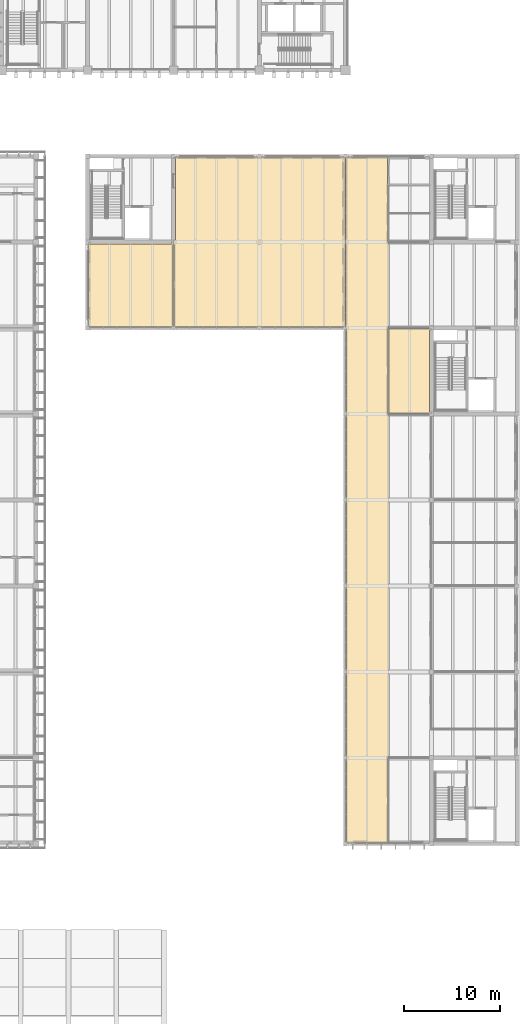
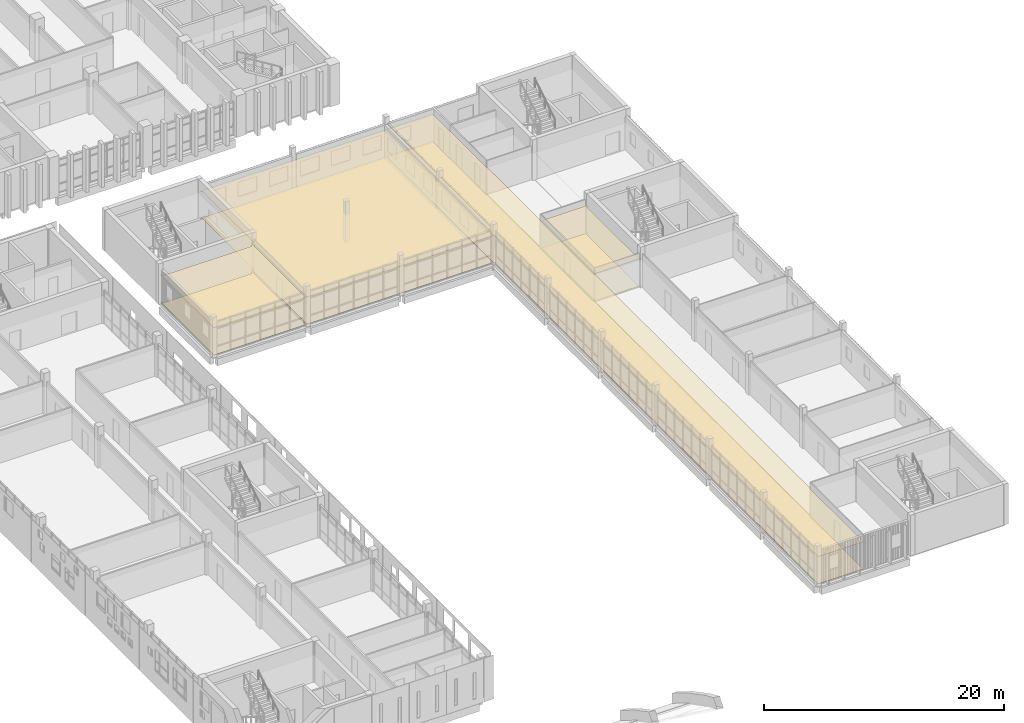
# One storey, part 78 of 88: 8 coverings.
"""IFC4 building model written with IfcOpenShell, lengths in metres."""

from ifc_helpers import new_model, si_unit, direction, frame, origin, place, context, subcontext, project, spatial, polyline, outline, extrude, material, layer, layer_set, type_object, element, save


model = new_model("IFC4")

# Units and contexts
model_context = context("Model", 3, precision=1e-05, world=origin(), true_north=direction((0.0, 1.0)))
body_context = subcontext(model_context, "Body", "Model", "MODEL_VIEW")
ifc_project = project(units=[si_unit("LENGTHUNIT", "METRE"), si_unit("AREAUNIT", "SQUARE_METRE"), si_unit("VOLUMEUNIT", "CUBIC_METRE"), si_unit("PLANEANGLEUNIT", "RADIAN"), si_unit("MASSUNIT", "GRAM", prefix="KILO")], contexts=[model_context])

# Site, building, storey
site_placement = place(None, origin())
site = spatial("IfcSite", under=ifc_project, at=site_placement, CompositionType="ELEMENT")
building_placement = place(site_placement, origin())
building = spatial("IfcBuilding", under=site, at=building_placement, Name="Merrow Basin Faculty of Sciences", CompositionType="ELEMENT")
storey_placement = place(building_placement, frame((0.0, 0.0, 9.0)))
storey = spatial("IfcBuildingStorey", under=building, at=storey_placement, Name="L02", CompositionType="ELEMENT", Elevation=9.0)

# Coverings
ifc_material_1 = material(Name="Carpet tile floor")
ifc_layer_1 = layer(ifc_material_1, 0.02001953125)
ifc_layer_set_1 = layer_set([ifc_layer_1], Name="Carpet tile floor")
covering_type_1 = type_object("IfcCoveringType", Name="Carpet tile floor", PredefinedType="FLOORING", material=ifc_layer_set_1)
covering_1_placement = place(storey_placement, origin())
element("IfcCovering", 1, at=covering_1_placement, inside=storey, type_object=covering_type_1, Name="Floor finish L02-C-022", PredefinedType="FLOORING", context=body_context, shape_type="SweptSolid", body=[
    extrude(outline(polyline([(36.010009765625, 115.110107421875), (36.010009765625, 115.215087890625), (36.06005859375, 115.215087890625), (36.06005859375, 123.784912109375), (36.010009765625, 123.784912109375), (36.010009765625, 124.215087890625), (36.2099609375, 124.215087890625), (36.2099609375, 132.784912109375), (36.010009765625, 132.784912109375), (36.010009765625, 132.889892578125), (53.989990234375, 132.889892578125), (53.989990234375, 115.110107421875), (36.010009765625, 115.110107421875)])), origin(), (0.0, 0.0, 1.0), 0.02001953125),
])
covering_2_placement = place(storey_placement, origin())
element("IfcCovering", 2, at=covering_2_placement, inside=storey, type_object=covering_type_1, Name="Floor finish L02-C-023", PredefinedType="FLOORING", context=body_context, shape_type="SweptSolid", body=[
    extrude(outline(polyline([(35.989990234375, 123.784912109375), (35.93994140625, 123.784912109375), (35.93994140625, 115.215087890625), (35.989990234375, 115.215087890625), (35.989990234375, 115.110107421875), (27.110107421875, 115.110107421875), (27.110107421875, 123.989990234375), (27.215087890625, 123.989990234375), (27.215087890625, 123.7900390625), (35.784912109375, 123.7900390625), (35.784912109375, 123.989990234375), (35.989990234375, 123.989990234375), (35.989990234375, 123.784912109375)])), origin(), (0.0, 0.0, 1.0), 0.02001953125),
])
covering_3_placement = place(storey_placement, origin())
element("IfcCovering", 3, at=covering_3_placement, inside=storey, type_object=covering_type_1, Name="Floor finish L02-C-025", PredefinedType="FLOORING", context=body_context, shape_type="SweptSolid", body=[
    extrude(outline(polyline([(62.989990234375, 114.989990234375), (62.989990234375, 114.784912109375), (62.7900390625, 114.784912109375), (62.7900390625, 106.215087890625), (62.989990234375, 106.215087890625), (62.989990234375, 106.010009765625), (62.784912109375, 106.010009765625), (62.784912109375, 106.06005859375), (58.56005859375, 106.06005859375), (58.56005859375, 114.93994140625), (62.784912109375, 114.93994140625), (62.784912109375, 114.989990234375), (62.989990234375, 114.989990234375)])), origin(), (0.0, 0.0, 1.0), 0.02001953125),
])
ifc_material_2 = material(Name="Polished terrazzo floor")
ifc_layer_2 = layer(ifc_material_2, 0.02001953125)
ifc_layer_set_2 = layer_set([ifc_layer_2], Name="Polished terrazzo floor")
covering_type_2 = type_object("IfcCoveringType", Name="Polished terrazzo floor", PredefinedType="FLOORING", material=ifc_layer_set_2)
covering_4_placement = place(storey_placement, origin())
element("IfcCovering", 4, at=covering_4_placement, inside=storey, type_object=covering_type_2, Name="Floor finish L02-C-017", PredefinedType="FLOORING", context=body_context, shape_type="SweptSolid", body=[
    extrude(outline(polyline([(54.010009765625, 115.010009765625), (54.010009765625, 132.889892578125), (58.4150390625, 132.889892578125), (58.4150390625, 129.989990234375), (58.43994140625, 129.989990234375), (58.43994140625, 123.989990234375), (58.489990234375, 123.989990234375), (58.489990234375, 115.010009765625), (58.43994140625, 115.010009765625), (58.43994140625, 105.989990234375), (58.489990234375, 105.989990234375), (58.489990234375, 70.010009765625), (58.43994140625, 70.010009765625), (58.43994140625, 61.110107421875), (54.110107421875, 61.110107421875), (54.110107421875, 115.010009765625), (54.010009765625, 115.010009765625)])), origin(), (0.0, 0.0, 1.0), 0.02001953125),
])
ifc_material_3 = material(Name="Mineral fibre ceiling tile")
ifc_layer_3 = layer(ifc_material_3, 0.050048828125)
ifc_layer_set_3 = layer_set([ifc_layer_3], Name="Suspended acoustic ceiling tile")
covering_type_3 = type_object("IfcCoveringType", Name="Suspended acoustic ceiling tile", PredefinedType="CEILING", material=ifc_layer_set_3)
covering_5_placement = place(storey_placement, frame((0.0, 0.0, 2.75)))
element("IfcCovering", 5, at=covering_5_placement, inside=storey, type_object=covering_type_3, Name="Ceiling L02-C-017", PredefinedType="CEILING", context=body_context, shape_type="SweptSolid", body=[
    extrude(outline(polyline([(54.0, 115.0), (54.0, 132.89990234375), (58.425048828125, 132.89990234375), (58.425048828125, 130.0), (58.449951171875, 130.0), (58.449951171875, 124.0), (58.5, 124.0), (58.5, 115.0), (58.449951171875, 115.0), (58.449951171875, 106.0), (58.5, 106.0), (58.5, 70.0), (58.449951171875, 70.0), (58.449951171875, 61.10009765625), (54.10009765625, 61.10009765625), (54.10009765625, 115.0), (54.0, 115.0)])), origin(), (0.0, 0.0, 1.0), 0.050048828125),
])
covering_6_placement = place(storey_placement, frame((0.0, 0.0, 2.75)))
element("IfcCovering", 6, at=covering_6_placement, inside=storey, type_object=covering_type_3, Name="Ceiling L02-C-022", PredefinedType="CEILING", context=body_context, shape_type="SweptSolid", body=[
    extrude(outline(polyline([(36.0, 115.10009765625), (36.0, 115.22509765625), (36.050048828125, 115.22509765625), (36.050048828125, 123.77490234375), (36.0, 123.77490234375), (36.0, 124.22509765625), (36.199951171875, 124.22509765625), (36.199951171875, 132.77490234375), (36.0, 132.77490234375), (36.0, 132.89990234375), (54.0, 132.89990234375), (54.0, 115.10009765625), (36.0, 115.10009765625)])), origin(), (0.0, 0.0, 1.0), 0.050048828125),
])
covering_7_placement = place(storey_placement, frame((0.0, 0.0, 2.75)))
element("IfcCovering", 7, at=covering_7_placement, inside=storey, type_object=covering_type_3, Name="Ceiling L02-C-023", PredefinedType="CEILING", context=body_context, shape_type="SweptSolid", body=[
    extrude(outline(polyline([(36.0, 123.77490234375), (35.949951171875, 123.77490234375), (35.949951171875, 115.22509765625), (36.0, 115.22509765625), (36.0, 115.10009765625), (27.10009765625, 115.10009765625), (27.10009765625, 124.0), (27.22509765625, 124.0), (27.22509765625, 123.800048828125), (35.77490234375, 123.800048828125), (35.77490234375, 124.0), (36.0, 124.0), (36.0, 123.77490234375)])), origin(), (0.0, 0.0, 1.0), 0.050048828125),
])
covering_8_placement = place(storey_placement, frame((0.0, 0.0, 2.75)))
element("IfcCovering", 8, at=covering_8_placement, inside=storey, type_object=covering_type_3, Name="Ceiling L02-C-025", PredefinedType="CEILING", context=body_context, shape_type="SweptSolid", body=[
    extrude(outline(polyline([(63.0, 115.0), (63.0, 114.77490234375), (62.800048828125, 114.77490234375), (62.800048828125, 106.22509765625), (63.0, 106.22509765625), (63.0, 106.0), (62.77490234375, 106.0), (62.77490234375, 106.050048828125), (58.550048828125, 106.050048828125), (58.550048828125, 114.949951171875), (62.77490234375, 114.949951171875), (62.77490234375, 115.0), (63.0, 115.0)])), origin(), (0.0, 0.0, 1.0), 0.050048828125),
])

save(model, "model.ifc")
